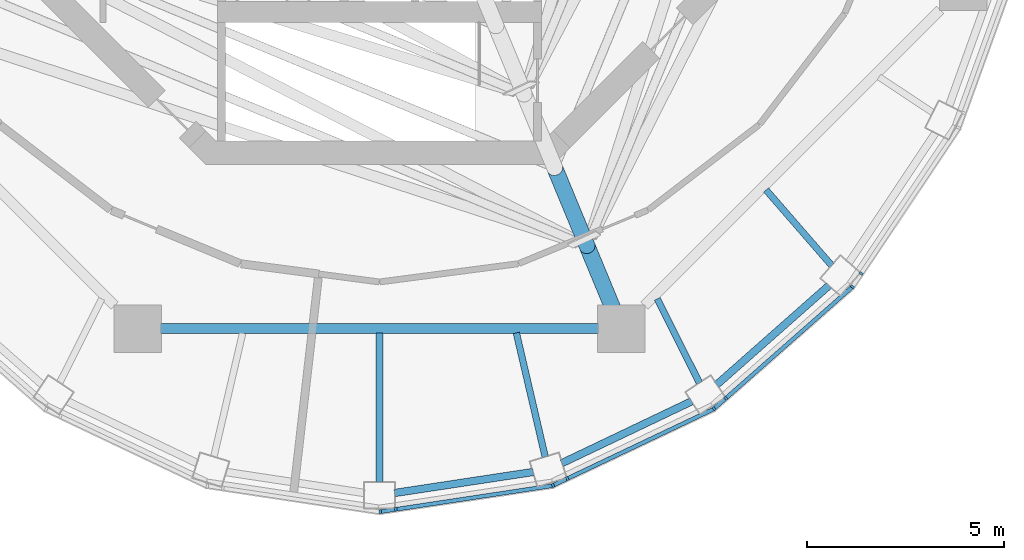
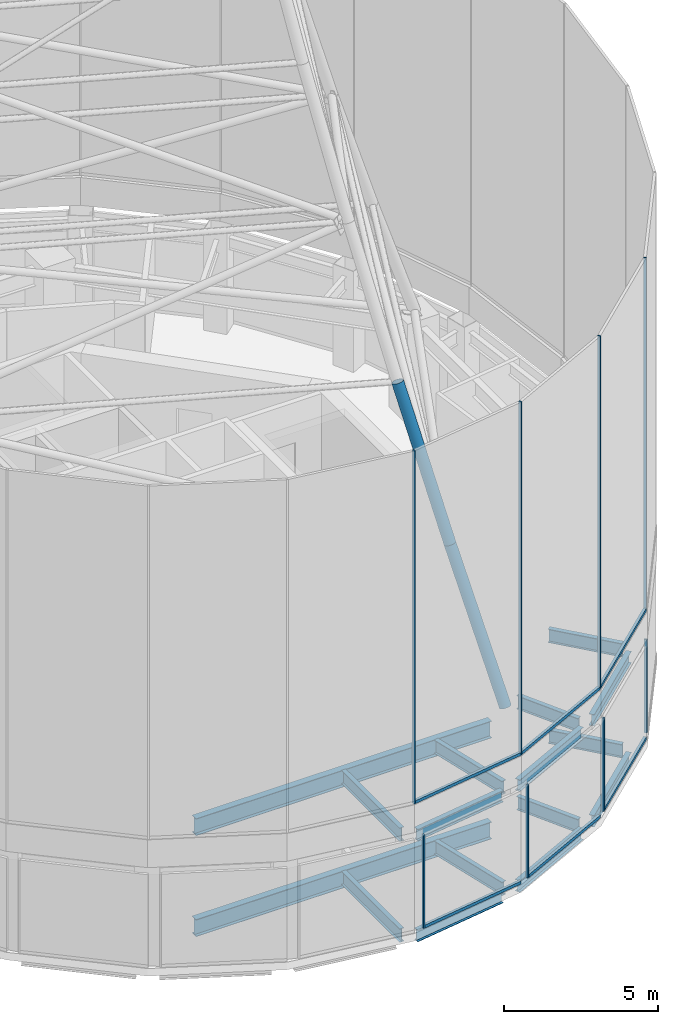
# One storey, part 5 of 25: 16 beams, 16 members, 8 elements without a shape of their own.
"""IFC4 building model written with IfcOpenShell, lengths in metres."""

import ifcopenshell
import ifcopenshell.guid

model = None  # the IFC model being written
_history = None  # IfcOwnerHistory: only IFC2X3 demands one
_inside = {}  # id of a spatial element -> (the spatial element, [elements in it])
_under = {}  # id of a project, library or spatial element -> (it, [spatial elements below it])
_declared = {}  # id of a project -> (the project, [libraries it declares])
_typed = {}  # id of a type object -> (the type object, [elements of that type])
_made_of = {}  # id of a material, layer set ... -> (it, [elements and type objects made of it])


def new_model(schema):
    """Start an empty IFC model of exactly this schema.

    Asked for "IFC4X3", IfcOpenShell would pick the latest addendum, in which some entities
    have other attributes; the version numbers below select the first issue.
    IFC2X3 requires an IfcOwnerHistory on every rooted entity: one is made here for all.
    """
    global model, _history
    if schema == "IFC4X3":
        model = ifcopenshell.file(schema_version=(4, 3, 0, 0))
    else:
        model = ifcopenshell.file(schema=schema)
    _inside.clear()
    _under.clear()
    _declared.clear()
    _typed.clear()
    _made_of.clear()
    _history = None
    if model.schema == "IFC2X3":
        org = make("IfcOrganization", Name="unknown")
        user = make(
            "IfcPersonAndOrganization",
            ThePerson=make("IfcPerson", FamilyName="unknown"),
            TheOrganization=org,
        )
        app = make(
            "IfcApplication",
            ApplicationDeveloper=org,
            Version="unknown",
            ApplicationFullName="unknown",
            ApplicationIdentifier="unknown",
        )
        _history = make(
            "IfcOwnerHistory",
            OwningUser=user,
            OwningApplication=app,
            ChangeAction="ADDED",
            CreationDate=0,
        )
    return model


def make(cls, **values):
    """One entity of the class cls with the attributes given. An attribute that is None is left unset."""
    return model.create_entity(
        cls, **{name: value for name, value in values.items() if value is not None}
    )


def rooted(cls, **values):
    """An entity with a GlobalId (a new one), such as an element, a storey or a relation."""
    return make(cls, GlobalId=ifcopenshell.guid.new(), OwnerHistory=_history, **values)


def si_unit(unit_type, name, prefix=None):
    """IfcSIUnit, for example si_unit("LENGTHUNIT", "METRE", prefix="MILLI")."""
    return make("IfcSIUnit", UnitType=unit_type, Prefix=prefix, Name=name)


def assignment(units):
    """IfcUnitAssignment: the units of a project."""
    return None if units is None else make("IfcUnitAssignment", Units=units)


def point(xyz):
    """IfcCartesianPoint."""
    return None if xyz is None else make("IfcCartesianPoint", Coordinates=xyz)


def direction(xyz):
    """IfcDirection."""
    return None if xyz is None else make("IfcDirection", DirectionRatios=xyz)


def frame(location, z_axis=None, x_axis=None):
    """IfcAxis2Placement3D, a coordinate frame: its origin and axes. An axis left out is left unset."""
    return make(
        "IfcAxis2Placement3D",
        Location=point(location),
        Axis=direction(z_axis),
        RefDirection=direction(x_axis),
    )


def frame_2d(location, x_axis=None):
    """IfcAxis2Placement2D, a coordinate frame in the plane: its origin and x axis."""
    return make(
        "IfcAxis2Placement2D", Location=point(location), RefDirection=direction(x_axis)
    )


def origin():
    """The frame at (0, 0, 0) with its axes left unset."""
    return frame((0.0, 0.0, 0.0))


def origin_2d():
    """The frame at (0, 0) in the plane with its x axis left unset."""
    return frame_2d((0.0, 0.0))


def place(relative_to, where):
    """IfcLocalPlacement: puts the frame where relative to a parent placement (None: the world)."""
    return make(
        "IfcLocalPlacement", PlacementRelTo=relative_to, RelativePlacement=where
    )


def context(
    kind, dimensions, precision=None, world=None, true_north=None, identifier=None
):
    """IfcGeometricRepresentationContext, for example the 3D "Model" context."""
    return make(
        "IfcGeometricRepresentationContext",
        ContextIdentifier=identifier,
        ContextType=kind,
        CoordinateSpaceDimension=dimensions,
        Precision=precision,
        WorldCoordinateSystem=world,
        TrueNorth=true_north,
    )


def subcontext(parent, identifier, kind, view, scale=None):
    """IfcGeometricRepresentationSubContext, for example "Body" below "Model"."""
    return make(
        "IfcGeometricRepresentationSubContext",
        ContextIdentifier=identifier,
        ContextType=kind,
        ParentContext=parent,
        TargetScale=scale,
        TargetView=view,
    )


def project(units=None, contexts=None):
    """IfcProject with its units and contexts."""
    return rooted(
        "IfcProject",
        Name="project",
        RepresentationContexts=contexts,
        UnitsInContext=assignment(units),
    )


def spatial(cls, under=None, at=None, **own):
    """A site, building, storey or space (cls), placed at a placement, below another one or the project."""
    s = rooted(cls, ObjectPlacement=at, **own)
    if under is not None:
        _under.setdefault(under.id(), (under, []))[1].append(s)
    return s


def profile(cls, at=None, kind="AREA", **sizes):
    """A parametric profile (cls). Its sizes go by their IFC names, for example OverallWidth=200.0."""
    return make(cls, ProfileType=kind, Position=at, **sizes)


def rectangle(**sizes):
    """IfcRectangleProfileDef."""
    return profile("IfcRectangleProfileDef", **sizes)


def hollow_circle(**sizes):
    """IfcCircleHollowProfileDef."""
    return profile("IfcCircleHollowProfileDef", **sizes)


def i_section(**sizes):
    """IfcIShapeProfileDef."""
    return profile("IfcIShapeProfileDef", **sizes)


def extrude(swept, where, along, depth):
    """IfcExtrudedAreaSolid: the profile swept, set in the frame where, extruded along a direction by depth."""
    return make(
        "IfcExtrudedAreaSolid",
        SweptArea=swept,
        Position=where,
        ExtrudedDirection=direction(along),
        Depth=depth,
    )


def shape(context_of_items, identifier, shape_type, items):
    """IfcShapeRepresentation: the items that make up one representation, for example the "Body"."""
    return make(
        "IfcShapeRepresentation",
        ContextOfItems=context_of_items,
        RepresentationIdentifier=identifier,
        RepresentationType=shape_type,
        Items=items,
    )


def material(Name=None, Category=None):
    """IfcMaterial."""
    return make("IfcMaterial", Name=Name, Category=Category)


def layer(
    of_material, thickness, ventilated=None, Name=None, Category=None, Priority=None
):
    """IfcMaterialLayer: one layer of a wall or slab, of a material (None: an air gap)."""
    return make(
        "IfcMaterialLayer",
        Material=of_material,
        LayerThickness=thickness,
        IsVentilated=ventilated,
        Name=Name,
        Category=Category,
        Priority=Priority,
    )


def layer_set(layers, Name=None):
    """IfcMaterialLayerSet."""
    return make("IfcMaterialLayerSet", MaterialLayers=layers, LayerSetName=Name)


def material_profile(
    of_material, cross_section, Name=None, Category=None, Priority=None
):
    """IfcMaterialProfile: a cross section and its material."""
    return make(
        "IfcMaterialProfile",
        Name=Name,
        Material=of_material,
        Profile=cross_section,
        Priority=Priority,
        Category=Category,
    )


def profile_set(profiles, Name=None, composite=None):
    """IfcMaterialProfileSet."""
    return make(
        "IfcMaterialProfileSet",
        Name=Name,
        MaterialProfiles=profiles,
        CompositeProfile=composite,
    )


def made_of(thing, what):
    """Note that an element or type object is made of a material, layer set ...; save() writes the relation."""
    if what is not None:
        _made_of.setdefault(what.id(), (what, []))[1].append(thing)
    return thing


def type_object(cls, material=None, **own):
    """A type object (cls), such as IfcWallType, which elements share."""
    return made_of(rooted(cls, **own), material)


def element(
    cls,
    number,
    at=None,
    inside=None,
    cuts=None,
    type_object=None,
    material=None,
    context=None,
    identifier="Body",
    shape_type=None,
    held_by="IfcProductDefinitionShape",
    body=None,
    shapes=None,
    **own,
):
    """One element of the class cls, such as IfcWall. Its Tag is "e" and its number.

    at: its placement. inside: the storey or other place that contains it. cuts: it is an
    opening in that element (IfcRelVoidsElement). A single representation is given by context,
    identifier, shape_type and body (its items); several are given by shapes. held_by: the class
    of the entity that holds the representations. save() writes the other relations.
    """
    e = rooted(cls, Tag="e%d" % number, ObjectPlacement=at, **own)
    if body is not None:
        shapes = [shape(context, identifier, shape_type, body)]
    if shapes is not None:
        e.Representation = make(held_by, Representations=shapes)
    if inside is not None:
        _inside.setdefault(inside.id(), (inside, []))[1].append(e)
    if cuts is not None:
        rooted(
            "IfcRelVoidsElement", RelatingBuildingElement=cuts, RelatedOpeningElement=e
        )
    if type_object is not None:
        _typed.setdefault(type_object.id(), (type_object, []))[1].append(e)
    return made_of(e, material)


def aggregate(whole, parts):
    """IfcRelAggregates: a whole, such as a stair, and the parts it consists of."""
    return rooted("IfcRelAggregates", RelatingObject=whole, RelatedObjects=parts)


def save(model, path):
    """Write the relations noted so far, then the file.

    IfcRelAggregates (storeys below a building ...), IfcRelContainedInSpatialStructure (elements
    in a storey), IfcRelDefinesByType, IfcRelAssociatesMaterial and IfcRelDeclares: one each for
    every whole, place, type object, material and project.
    """
    for whole, parts in _under.values():
        aggregate(whole, parts)
    for where, things in _inside.values():
        rooted(
            "IfcRelContainedInSpatialStructure",
            RelatedElements=things,
            RelatingStructure=where,
        )
    for kind, things in _typed.values():
        rooted("IfcRelDefinesByType", RelatedObjects=things, RelatingType=kind)
    for what, things in _made_of.values():
        rooted("IfcRelAssociatesMaterial", RelatedObjects=things, RelatingMaterial=what)
    for by, libraries in _declared.values():
        rooted("IfcRelDeclares", RelatingContext=by, RelatedDefinitions=libraries)
    model.write(path)


model = new_model("IFC4")

# Units and contexts
model_context = context("Model", 3, precision=1e-05, world=origin(), true_north=direction((0.0, 1.0)))
body_context = subcontext(model_context, "Body", "Model", "MODEL_VIEW")
ifc_project = project(units=[si_unit("LENGTHUNIT", "METRE"), si_unit("AREAUNIT", "SQUARE_METRE"), si_unit("VOLUMEUNIT", "CUBIC_METRE"), si_unit("PLANEANGLEUNIT", "RADIAN"), si_unit("MASSUNIT", "GRAM", prefix="KILO")], contexts=[model_context])

# Site, building, storey
site_placement = place(None, origin())
site = spatial("IfcSite", under=ifc_project, at=site_placement, CompositionType="ELEMENT")
building_placement = place(site_placement, origin())
building = spatial("IfcBuilding", under=site, at=building_placement, Name="Nagisa Residences", CompositionType="ELEMENT")
storey_placement = place(building_placement, frame((0.0, 0.0, 340.89990234375)))
storey = spatial("IfcBuildingStorey", under=building, at=storey_placement, Name="L84", CompositionType="ELEMENT", Elevation=340.89990234375)

# Curtain wall, member
ifc_material_1 = material(Name="Aluminium curtain wall system", Category="aluminium")
ifc_layer = layer(ifc_material_1, 0.159912109375)
ifc_layer_set = layer_set([ifc_layer], Name="CW5 CURTAIN WALL")
curtain_wall_type = type_object("IfcCurtainWallType", Name="CW5 CURTAIN WALL", PredefinedType="NOTDEFINED", material=ifc_layer_set)
curtain_wall_1_placement = place(storey_placement, origin())
curtain_wall_1 = element("IfcCurtainWall", 1, at=curtain_wall_1_placement, inside=storey, type_object=curtain_wall_type, Name="cw:CW5:L84:18", PredefinedType="NOTDEFINED")
ifc_material_2 = material(Name="Aluminium", Category="aluminium")
ifc_material_profile_1 = material_profile(ifc_material_2, rectangle(XDim=0.10009765625, YDim=0.06005859375, at=origin_2d()), Name="CW5 MULLION 100x60")
ifc_profile_set_1 = profile_set([ifc_material_profile_1], Name="Aluminium")
member_type_1 = type_object("IfcMemberType", Name="CW5 MULLION 100x60", PredefinedType="MULLION", material=ifc_profile_set_1)
member_1_placement = place(storey_placement, frame((0.413330078125, -19.356689453125, 0.0), z_axis=(0.0, 0.0, 1.0), x_axis=(-0.149320135997, 0.988788904158, 0.0)))
member_1 = element("IfcMember", 2, at=member_1_placement, type_object=member_type_1, Name="CW5 mullion", PredefinedType="MULLION", context=body_context, shape_type="SweptSolid", body=[
    extrude(rectangle(XDim=0.10009765625, YDim=0.06005859375, at=origin_2d()), origin(), (0.0, 0.0, 1.0), 3.7001953125),
])

curtain_wall_2_placement = place(storey_placement, origin())
curtain_wall_2 = element("IfcCurtainWall", 3, at=curtain_wall_2_placement, inside=storey, type_object=curtain_wall_type, Name="cw:CW5:L84:19", PredefinedType="NOTDEFINED")
member_2_placement = place(storey_placement, frame((4.75390625, -18.578857421875, 0.0), z_axis=(0.0, 0.0, 1.0), x_axis=(-0.429150642757, 0.903232929992, 0.0)))
member_2 = element("IfcMember", 4, at=member_2_placement, type_object=member_type_1, Name="CW5 mullion", PredefinedType="MULLION", context=body_context, shape_type="SweptSolid", body=[
    extrude(rectangle(XDim=0.10009765625, YDim=0.06005859375, at=origin_2d()), origin(), (0.0, 0.0, 1.0), 3.7001953125),
])

curtain_wall_3_placement = place(storey_placement, origin())
curtain_wall_3 = element("IfcCurtainWall", 5, at=curtain_wall_3_placement, inside=storey, type_object=curtain_wall_type, Name="cw:CW5:L84:20", PredefinedType="NOTDEFINED")
member_3_placement = place(storey_placement, frame((8.77001953125, -16.54345703125, 0.0), z_axis=(0.0, 0.0, 1.0), x_axis=(-0.660699467703, 0.750650526795, 0.0)))
member_3 = element("IfcMember", 6, at=member_3_placement, type_object=member_type_1, Name="CW5 mullion", PredefinedType="MULLION", context=body_context, shape_type="SweptSolid", body=[
    extrude(rectangle(XDim=0.10009765625, YDim=0.06005859375, at=origin_2d()), origin(), (0.0, 0.0, 1.0), 3.7001953125),
])

curtain_wall_4_placement = place(storey_placement, origin())
curtain_wall_4 = element("IfcCurtainWall", 7, at=curtain_wall_4_placement, inside=storey, type_object=curtain_wall_type, Name="cw:CW5:L84:21", PredefinedType="NOTDEFINED")
member_4_placement = place(storey_placement, frame((12.193359375, -13.38671875, 0.0), z_axis=(0.0, 0.0, 1.0), x_axis=(-0.831172662415, 0.556014393027, 0.0)))
member_4 = element("IfcMember", 8, at=member_4_placement, type_object=member_type_1, Name="CW5 mullion", PredefinedType="MULLION", context=body_context, shape_type="SweptSolid", body=[
    extrude(rectangle(XDim=0.10009765625, YDim=0.06005859375, at=origin_2d()), origin(), (0.0, 0.0, 1.0), 3.7001953125),
])
aggregate(curtain_wall_4, [member_4])

curtain_wall_5_placement = place(storey_placement, origin())
curtain_wall_5 = element("IfcCurtainWall", 9, at=curtain_wall_5_placement, inside=storey, type_object=curtain_wall_type, Name="cw:CW5:L84:top0:18", PredefinedType="NOTDEFINED")
member_5_placement = place(storey_placement, frame((0.017822265625, -19.41650390625, 5.10009765625), z_axis=(0.0, 0.0, 1.0), x_axis=(-0.149320135997, 0.988788904158, 0.0)))
member_5 = element("IfcMember", 10, at=member_5_placement, type_object=member_type_1, Name="CW5 mullion", PredefinedType="MULLION", context=body_context, shape_type="SweptSolid", body=[
    extrude(rectangle(XDim=0.10009765625, YDim=0.06005859375, at=origin_2d()), origin(), (0.0, 0.0, 1.0), 14.0),
])

curtain_wall_6_placement = place(storey_placement, origin())
curtain_wall_6 = element("IfcCurtainWall", 11, at=curtain_wall_6_placement, inside=storey, type_object=curtain_wall_type, Name="cw:CW5:L84:top0:19", PredefinedType="NOTDEFINED")
member_6_placement = place(storey_placement, frame((4.392578125, -18.75048828125, 5.10009765625), z_axis=(0.0, 0.0, 1.0), x_axis=(-0.429150642757, 0.903232929992, 0.0)))
member_6 = element("IfcMember", 12, at=member_6_placement, type_object=member_type_1, Name="CW5 mullion", PredefinedType="MULLION", context=body_context, shape_type="SweptSolid", body=[
    extrude(rectangle(XDim=0.10009765625, YDim=0.06005859375, at=origin_2d()), origin(), (0.0, 0.0, 1.0), 14.0),
])

curtain_wall_7_placement = place(storey_placement, origin())
curtain_wall_7 = element("IfcCurtainWall", 13, at=curtain_wall_7_placement, inside=storey, type_object=curtain_wall_type, Name="cw:CW5:L84:top0:20", PredefinedType="NOTDEFINED")
member_7_placement = place(storey_placement, frame((8.4697265625, -16.8076171875, 5.10009765625), z_axis=(0.0, 0.0, 1.0), x_axis=(-0.660699467703, 0.750650526795, 0.0)))
member_7 = element("IfcMember", 14, at=member_7_placement, type_object=member_type_1, Name="CW5 mullion", PredefinedType="MULLION", context=body_context, shape_type="SweptSolid", body=[
    extrude(rectangle(XDim=0.10009765625, YDim=0.06005859375, at=origin_2d()), origin(), (0.0, 0.0, 1.0), 14.0),
])

curtain_wall_8_placement = place(storey_placement, origin())
curtain_wall_8 = element("IfcCurtainWall", 15, at=curtain_wall_8_placement, inside=storey, type_object=curtain_wall_type, Name="cw:CW5:L84:top0:21", PredefinedType="NOTDEFINED")
member_8_placement = place(storey_placement, frame((11.970947265625, -13.71923828125, 5.10009765625), z_axis=(0.0, 0.0, 1.0), x_axis=(-0.831172662415, 0.556014393027, 0.0)))
member_8 = element("IfcMember", 16, at=member_8_placement, type_object=member_type_1, Name="CW5 mullion", PredefinedType="MULLION", context=body_context, shape_type="SweptSolid", body=[
    extrude(rectangle(XDim=0.10009765625, YDim=0.06005859375, at=origin_2d()), origin(), (0.0, 0.0, 1.0), 14.0),
])
aggregate(curtain_wall_8, [member_8])

# Member
ifc_material_3 = material(Name="Aluminium", Category="aluminium")
ifc_material_profile_2 = material_profile(ifc_material_3, rectangle(XDim=0.10009765625, YDim=0.1201171875, at=origin_2d()), Name="CW5 TRANSOM 100x120")
ifc_profile_set_2 = profile_set([ifc_material_profile_2], Name="Aluminium")
member_type_2 = type_object("IfcMemberType", Name="CW5 TRANSOM 100x120", PredefinedType="USERDEFINED", material=ifc_profile_set_2)
member_9_placement = place(storey_placement, frame((0.383544921875, -19.361083984375, 0.06005859375), z_axis=(0.988788172803, 0.149324978907, 0.0), x_axis=(-0.149324978907, 0.988788172803, 0.0)))
member_9 = element("IfcMember", 17, at=member_9_placement, type_object=member_type_2, Name="CW5 transom", ObjectType="TRANSOM", PredefinedType="USERDEFINED", context=body_context, shape_type="SweptSolid", body=[
    extrude(rectangle(XDim=0.10009765625, YDim=0.1201171875, at=origin_2d()), origin(), (0.0, 0.0, 1.0), 4.0498046875),
])

aggregate(curtain_wall_1, [member_1, member_9])

member_10_placement = place(storey_placement, frame((4.726806640625, -18.591552734375, 0.06005859375), z_axis=(0.903235211694, 0.429145840426, 0.0), x_axis=(-0.429145840426, 0.903235211694, 0.0)))
member_10 = element("IfcMember", 18, at=member_10_placement, type_object=member_type_2, Name="CW5 transom", ObjectType="TRANSOM", PredefinedType="USERDEFINED", context=body_context, shape_type="SweptSolid", body=[
    extrude(rectangle(XDim=0.10009765625, YDim=0.1201171875, at=origin_2d()), origin(), (0.0, 0.0, 1.0), 4.139404296875),
])

aggregate(curtain_wall_2, [member_2, member_10])

member_11_placement = place(storey_placement, frame((8.747314453125, -16.563232421875, 0.06005859375), z_axis=(0.750655944686, 0.66069331214, 0.0), x_axis=(-0.66069331214, 0.750655944686, 0.0)))
member_11 = element("IfcMember", 19, at=member_11_placement, type_object=member_type_2, Name="CW5 transom", ObjectType="TRANSOM", PredefinedType="USERDEFINED", context=body_context, shape_type="SweptSolid", body=[
    extrude(rectangle(XDim=0.10009765625, YDim=0.1201171875, at=origin_2d()), origin(), (0.0, 0.0, 1.0), 4.29052734375),
])

aggregate(curtain_wall_3, [member_3, member_11])

member_12_placement = place(storey_placement, frame((-0.011962890625, -19.4208984375, 5.16015625), z_axis=(0.988785332706, 0.149343784021, 0.0), x_axis=(-0.149343784021, 0.988785332706, 0.0)))
member_12 = element("IfcMember", 20, at=member_12_placement, type_object=member_type_2, Name="CW5 transom", ObjectType="TRANSOM", PredefinedType="USERDEFINED", context=body_context, shape_type="SweptSolid", body=[
    extrude(rectangle(XDim=0.10009765625, YDim=0.1201171875, at=origin_2d()), origin(), (0.0, 0.0, 1.0), 4.44970703125),
])

aggregate(curtain_wall_5, [member_5, member_12])

member_13_placement = place(storey_placement, frame((4.365478515625, -18.76318359375, 5.16015625), z_axis=(0.903238939001, 0.429137995373, 0.0), x_axis=(-0.429137995373, 0.903238939001, 0.0)))
member_13 = element("IfcMember", 21, at=member_13_placement, type_object=member_type_2, Name="CW5 transom", ObjectType="TRANSOM", PredefinedType="USERDEFINED", context=body_context, shape_type="SweptSolid", body=[
    extrude(rectangle(XDim=0.10009765625, YDim=0.1201171875, at=origin_2d()), origin(), (0.0, 0.0, 1.0), 4.539306640625),
])

aggregate(curtain_wall_6, [member_6, member_13])

member_14_placement = place(storey_placement, frame((8.447265625, -16.827392578125, 5.16015625), z_axis=(0.750648459448, 0.660701816502, 0.0), x_axis=(-0.660701816502, 0.750648459448, 0.0)))
member_14 = element("IfcMember", 22, at=member_14_placement, type_object=member_type_2, Name="CW5 transom", ObjectType="TRANSOM", PredefinedType="USERDEFINED", context=body_context, shape_type="SweptSolid", body=[
    extrude(rectangle(XDim=0.10009765625, YDim=0.1201171875, at=origin_2d()), origin(), (0.0, 0.0, 1.0), 4.690185546875),
])

aggregate(curtain_wall_7, [member_7, member_14])

# Beams
ifc_material_4 = material(Name="Steel ASTM A572 Gr 50", Category="steel")
ifc_material_profile_3 = material_profile(ifc_material_4, i_section(OverallWidth=0.2529296875, OverallDepth=0.677978515625, WebThickness=0.01171875, FlangeThickness=0.016357421875, at=origin_2d()), Name="W690x125")
ifc_profile_set_3 = profile_set([ifc_material_profile_3], Name="Steel ASTM A572 Gr 50")
beam_type_1 = type_object("IfcBeamType", Name="Inner ring beam W690x125", PredefinedType="BEAM", material=ifc_profile_set_3)
for number, where, z_axis, x_axis, name in (
    (23, (-5.54296875, -14.781982421875, -0.638916015625), (1.0, 0.0, 0.0), (0.0, 1.0, 0.0), "beam:L84:ib6"),
    (24, (-5.54296875, -14.781982421875, 3.361083984375), (1.0, 0.0, 0.0), (0.0, 1.0, 0.0), "beam:L84:rib6"),
):
    element("IfcBeam", number, at=place(storey_placement, frame(where, z_axis=z_axis, x_axis=x_axis)), inside=storey, type_object=beam_type_1, Name=name, PredefinedType="BEAM", context=body_context, shape_type="SweptSolid", body=[
        extrude(i_section(OverallWidth=0.2529296875, OverallDepth=0.677978515625, WebThickness=0.01171875, FlangeThickness=0.016357421875, at=origin_2d()), origin(), (0.0, 0.0, 1.0), 11.0859375),
    ])

# Members
ifc_material_5 = material(Name="Steel ASTM A572 Gr 50", Category="steel")
ifc_material_profile_4 = material_profile(ifc_material_5, hollow_circle(Radius=0.203125, WallThickness=0.01611328125, at=origin_2d()), Name="MAST LEG CHS 406.4x16")
ifc_profile_set_4 = profile_set([ifc_material_profile_4], Name="Steel ASTM A572 Gr 50")
member_type_3 = type_object("IfcMemberType", Name="MAST LEG CHS 406.4x16", PredefinedType="CHORD", material=ifc_profile_set_4)
member_15_placement = place(storey_placement, frame((6.123046875, -14.781982421875, 4.0), z_axis=(-0.145748429527, 0.351832029823, 0.924646753134), x_axis=(-0.923865762933, -0.382716673376, 0.0)))
element("IfcMember", 25, at=member_15_placement, inside=storey, type_object=member_type_3, Name="Mast leg 4 segment 1", PredefinedType="CHORD", context=body_context, shape_type="SweptSolid", body=[
    extrude(hollow_circle(Radius=0.203125, WallThickness=0.01611328125, at=origin_2d()), origin(), (0.0, 0.0, 1.0), 5.9482421875),
])
member_16_placement = place(storey_placement, frame((5.256103515625, -12.689208984375, 9.5), z_axis=(-0.138931057061, 0.335395040699, 0.931776973346), x_axis=(-0.923873803533, -0.382697263049, 0.0)))
element("IfcMember", 26, at=member_16_placement, inside=storey, type_object=member_type_3, Name="Mast leg 4 segment 2", PredefinedType="CHORD", context=body_context, shape_type="SweptSolid", body=[
    extrude(hollow_circle(Radius=0.203125, WallThickness=0.01611328125, at=origin_2d()), origin(), (0.0, 0.0, 1.0), 5.902587890625),
])

# Beams
ifc_material_6 = material(Name="Steel ASTM A572 Gr 50", Category="steel")
ifc_material_profile_5 = material_profile(ifc_material_6, i_section(OverallWidth=0.18994140625, OverallDepth=0.45703125, WebThickness=0.009033203125, FlangeThickness=0.014404296875, at=origin_2d()), Name="W460x74")
ifc_profile_set_5 = profile_set([ifc_material_profile_5], Name="Steel ASTM A572 Gr 50")
beam_type_2 = type_object("IfcBeamType", Name="Perimeter ring beam W460x74", PredefinedType="BEAM", material=ifc_profile_set_5)
beam_1_placement = place(storey_placement, frame((0.380126953125, -18.9423828125, -0.5283203125), z_axis=(0.988700067025, 0.149907229525, 0.0), x_axis=(-0.149907229525, 0.988700067025, 0.0)))
element("IfcBeam", 27, at=beam_1_placement, inside=storey, type_object=beam_type_2, Name="beam:L84:pb19", PredefinedType="BEAM", context=body_context, shape_type="SweptSolid", body=[
    extrude(i_section(OverallWidth=0.18994140625, OverallDepth=0.45703125, WebThickness=0.009033203125, FlangeThickness=0.014404296875, at=origin_2d()), origin(), (0.0, 0.0, 1.0), 3.55029296875),
])
beam_2_placement = place(storey_placement, frame((4.617431640625, -18.18701171875, -0.5283203125), z_axis=(0.902613702305, 0.430451512266, 0.0), x_axis=(-0.430451512266, 0.902613702305, 0.0)))
element("IfcBeam", 28, at=beam_2_placement, inside=storey, type_object=beam_type_2, Name="beam:L84:pb20", PredefinedType="BEAM", context=body_context, shape_type="SweptSolid", body=[
    extrude(i_section(OverallWidth=0.18994140625, OverallDepth=0.45703125, WebThickness=0.009033203125, FlangeThickness=0.014404296875, at=origin_2d()), origin(), (0.0, 0.0, 1.0), 3.640625),
])
beam_3_placement = place(storey_placement, frame((8.53759765625, -16.2001953125, -0.5283203125), z_axis=(0.749401876552, 0.662115418503, 0.0), x_axis=(-0.662115418503, 0.749401876552, 0.0)))
element("IfcBeam", 29, at=beam_3_placement, inside=storey, type_object=beam_type_2, Name="beam:L84:pb21", PredefinedType="BEAM", context=body_context, shape_type="SweptSolid", body=[
    extrude(i_section(OverallWidth=0.18994140625, OverallDepth=0.45703125, WebThickness=0.009033203125, FlangeThickness=0.014404296875, at=origin_2d()), origin(), (0.0, 0.0, 1.0), 3.792724609375),
])
beam_4_placement = place(storey_placement, frame((0.380126953125, -18.9423828125, 3.4716796875), z_axis=(0.988700067025, 0.149907229525, 0.0), x_axis=(-0.149907229525, 0.988700067025, 0.0)))
element("IfcBeam", 30, at=beam_4_placement, inside=storey, type_object=beam_type_2, Name="beam:L84:rpb19", PredefinedType="BEAM", context=body_context, shape_type="SweptSolid", body=[
    extrude(i_section(OverallWidth=0.18994140625, OverallDepth=0.45703125, WebThickness=0.009033203125, FlangeThickness=0.014404296875, at=origin_2d()), origin(), (0.0, 0.0, 1.0), 3.55029296875),
])
beam_5_placement = place(storey_placement, frame((4.617431640625, -18.18701171875, 3.4716796875), z_axis=(0.902613702305, 0.430451512266, 0.0), x_axis=(-0.430451512266, 0.902613702305, 0.0)))
element("IfcBeam", 31, at=beam_5_placement, inside=storey, type_object=beam_type_2, Name="beam:L84:rpb20", PredefinedType="BEAM", context=body_context, shape_type="SweptSolid", body=[
    extrude(i_section(OverallWidth=0.18994140625, OverallDepth=0.45703125, WebThickness=0.009033203125, FlangeThickness=0.014404296875, at=origin_2d()), origin(), (0.0, 0.0, 1.0), 3.640625),
])
beam_6_placement = place(storey_placement, frame((8.53759765625, -16.2001953125, 3.4716796875), z_axis=(0.749401876552, 0.662115418503, 0.0), x_axis=(-0.662115418503, 0.749401876552, 0.0)))
element("IfcBeam", 32, at=beam_6_placement, inside=storey, type_object=beam_type_2, Name="beam:L84:rpb21", PredefinedType="BEAM", context=body_context, shape_type="SweptSolid", body=[
    extrude(i_section(OverallWidth=0.18994140625, OverallDepth=0.45703125, WebThickness=0.009033203125, FlangeThickness=0.014404296875, at=origin_2d()), origin(), (0.0, 0.0, 1.0), 3.792724609375),
])
ifc_material_7 = material(Name="Steel ASTM A572 Gr 50", Category="steel")
ifc_material_profile_6 = material_profile(ifc_material_7, i_section(OverallWidth=0.166015625, OverallDepth=0.534912109375, WebThickness=0.01025390625, FlangeThickness=0.0166015625, at=origin_2d()), Name="W530x85")
ifc_profile_set_6 = profile_set([ifc_material_profile_6], Name="Steel ASTM A572 Gr 50")
beam_type_3 = type_object("IfcBeamType", Name="Radial beam W530x85", PredefinedType="BEAM", material=ifc_profile_set_6)
beam_7_placement = place(storey_placement, frame((0.0, -18.669921875, -0.5673828125), z_axis=(0.0, 1.0, 0.0), x_axis=(-1.0, 0.0, 0.0)))
element("IfcBeam", 33, at=beam_7_placement, inside=storey, type_object=beam_type_3, Name="beam:L84:rb19", PredefinedType="BEAM", context=body_context, shape_type="SweptSolid", body=[
    extrude(i_section(OverallWidth=0.166015625, OverallDepth=0.534912109375, WebThickness=0.01025390625, FlangeThickness=0.0166015625, at=origin_2d()), origin(), (0.0, 0.0, 1.0), 3.78125),
])
beam_8_placement = place(storey_placement, frame((4.195556640625, -18.0302734375, -0.5673828125), z_axis=(-0.226650446588, 0.973976167604, 0.0), x_axis=(-0.973976167604, -0.226650446588, 0.0)))
element("IfcBeam", 34, at=beam_8_placement, inside=storey, type_object=beam_type_3, Name="beam:L84:rb20", PredefinedType="BEAM", context=body_context, shape_type="SweptSolid", body=[
    extrude(i_section(OverallWidth=0.166015625, OverallDepth=0.534912109375, WebThickness=0.01025390625, FlangeThickness=0.0166015625, at=origin_2d()), origin(), (0.0, 0.0, 1.0), 3.22509765625),
])
beam_9_placement = place(storey_placement, frame((8.10107421875, -16.1572265625, -0.5673828125), z_axis=(-0.448236908276, 0.893914802461, 0.0), x_axis=(-0.893914802461, -0.448236908276, 0.0)))
element("IfcBeam", 35, at=beam_9_placement, inside=storey, type_object=beam_type_3, Name="beam:L84:rb21", PredefinedType="BEAM", context=body_context, shape_type="SweptSolid", body=[
    extrude(i_section(OverallWidth=0.166015625, OverallDepth=0.534912109375, WebThickness=0.01025390625, FlangeThickness=0.0166015625, at=origin_2d()), origin(), (0.0, 0.0, 1.0), 2.385009765625),
])
beam_10_placement = place(storey_placement, frame((11.44873046875, -13.183349609375, -0.5673828125), z_axis=(-0.655718438616, 0.755005516045, 0.0), x_axis=(-0.755005516045, -0.655718438616, 0.0)))
element("IfcBeam", 36, at=beam_10_placement, inside=storey, type_object=beam_type_3, Name="beam:L84:rb22", PredefinedType="BEAM", context=body_context, shape_type="SweptSolid", body=[
    extrude(i_section(OverallWidth=0.166015625, OverallDepth=0.534912109375, WebThickness=0.01025390625, FlangeThickness=0.0166015625, at=origin_2d()), origin(), (0.0, 0.0, 1.0), 2.53515625),
])
beam_11_placement = place(storey_placement, frame((0.0, -18.669921875, 3.4326171875), z_axis=(0.0, 1.0, 0.0), x_axis=(-1.0, 0.0, 0.0)))
element("IfcBeam", 37, at=beam_11_placement, inside=storey, type_object=beam_type_3, Name="beam:L84:rrb19", PredefinedType="BEAM", context=body_context, shape_type="SweptSolid", body=[
    extrude(i_section(OverallWidth=0.166015625, OverallDepth=0.534912109375, WebThickness=0.01025390625, FlangeThickness=0.0166015625, at=origin_2d()), origin(), (0.0, 0.0, 1.0), 3.78125),
])
beam_12_placement = place(storey_placement, frame((4.195556640625, -18.0302734375, 3.4326171875), z_axis=(-0.226650446588, 0.973976167604, 0.0), x_axis=(-0.973976167604, -0.226650446588, 0.0)))
element("IfcBeam", 38, at=beam_12_placement, inside=storey, type_object=beam_type_3, Name="beam:L84:rrb20", PredefinedType="BEAM", context=body_context, shape_type="SweptSolid", body=[
    extrude(i_section(OverallWidth=0.166015625, OverallDepth=0.534912109375, WebThickness=0.01025390625, FlangeThickness=0.0166015625, at=origin_2d()), origin(), (0.0, 0.0, 1.0), 3.22509765625),
])
beam_13_placement = place(storey_placement, frame((8.10107421875, -16.1572265625, 3.4326171875), z_axis=(-0.448236908276, 0.893914802461, 0.0), x_axis=(-0.893914802461, -0.448236908276, 0.0)))
element("IfcBeam", 39, at=beam_13_placement, inside=storey, type_object=beam_type_3, Name="beam:L84:rrb21", PredefinedType="BEAM", context=body_context, shape_type="SweptSolid", body=[
    extrude(i_section(OverallWidth=0.166015625, OverallDepth=0.534912109375, WebThickness=0.01025390625, FlangeThickness=0.0166015625, at=origin_2d()), origin(), (0.0, 0.0, 1.0), 2.385009765625),
])
beam_14_placement = place(storey_placement, frame((11.44873046875, -13.183349609375, 3.4326171875), z_axis=(-0.655718438616, 0.755005516045, 0.0), x_axis=(-0.755005516045, -0.655718438616, 0.0)))
element("IfcBeam", 40, at=beam_14_placement, inside=storey, type_object=beam_type_3, Name="beam:L84:rrb22", PredefinedType="BEAM", context=body_context, shape_type="SweptSolid", body=[
    extrude(i_section(OverallWidth=0.166015625, OverallDepth=0.534912109375, WebThickness=0.01025390625, FlangeThickness=0.0166015625, at=origin_2d()), origin(), (0.0, 0.0, 1.0), 2.53515625),
])

save(model, "model.ifc")
